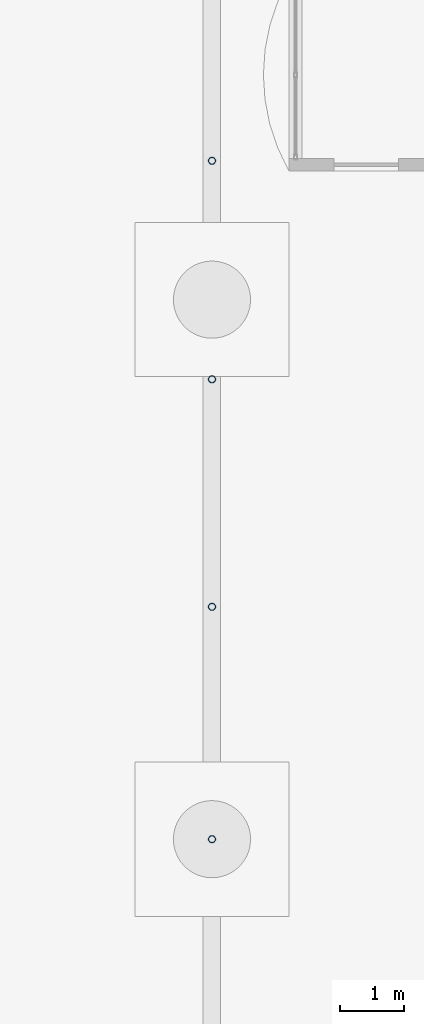
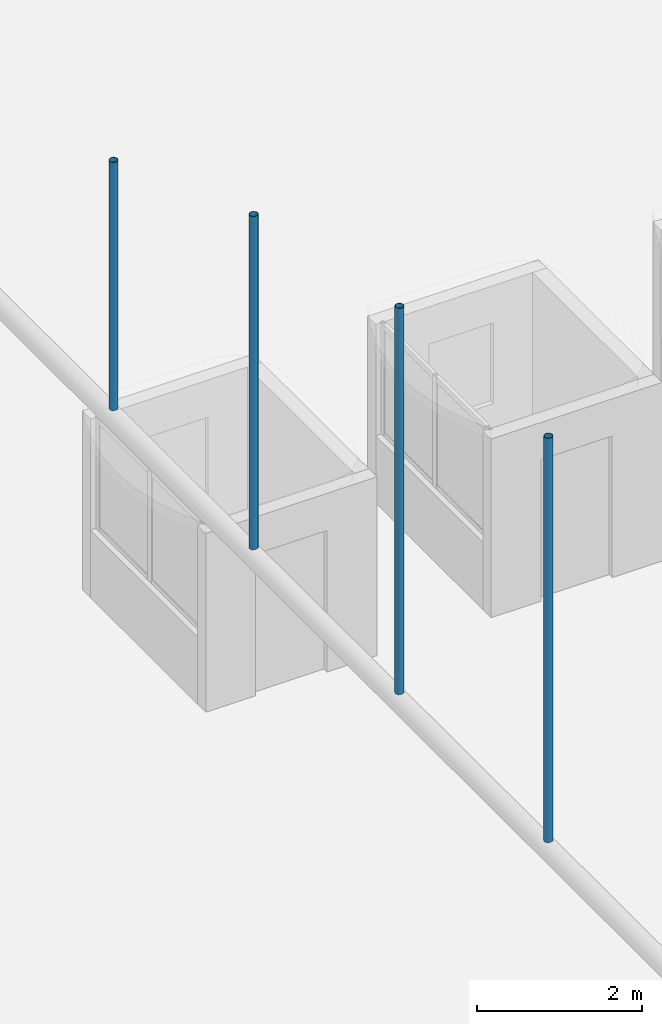
# One storey, part 79 of 212: 4 members.
"""IFC4 building model written with IfcOpenShell, lengths in metres."""

from ifc_helpers import new_model, si_unit, direction, frame, origin, origin_2d, place, context, subcontext, project, spatial, hollow_circle, extrude, material, material_profile, profile_set, type_object, element, save


model = new_model("IFC4")

# Units and contexts
model_context = context("Model", 3, precision=1e-05, world=origin(), true_north=direction((0.0, 1.0)))
body_context = subcontext(model_context, "Body", "Model", "MODEL_VIEW")
ifc_project = project(units=[si_unit("LENGTHUNIT", "METRE"), si_unit("AREAUNIT", "SQUARE_METRE"), si_unit("VOLUMEUNIT", "CUBIC_METRE"), si_unit("PLANEANGLEUNIT", "RADIAN"), si_unit("MASSUNIT", "GRAM", prefix="KILO")], contexts=[model_context])

# Site, building, storey
site_placement = place(None, origin())
site = spatial("IfcSite", under=ifc_project, at=site_placement, CompositionType="ELEMENT")
building_placement = place(site_placement, origin())
building = spatial("IfcBuilding", under=site, at=building_placement, Name="Catenary Quay Ferry Terminal", CompositionType="ELEMENT")
storey_placement = place(building_placement, origin())
storey = spatial("IfcBuildingStorey", under=building, at=storey_placement, Name="L00", CompositionType="ELEMENT", Elevation=0.0)

# Members
ifc_material = material(Name="Steel S355", Category="steel")
ifc_material_profile = material_profile(ifc_material, hollow_circle(Radius=0.05712890625, WallThickness=0.00634765625, at=origin_2d()), Name="CHS 114.3x6.3")
ifc_profile_set = profile_set([ifc_material_profile], Name="Steel S355")
member_type = type_object("IfcMemberType", Name="HG1 CHS 114.3x6.3", PredefinedType="POST", material=ifc_profile_set)
member_1_placement = place(storey_placement, frame((100.800048828125, 33.60009765625, 4.830078125), z_axis=(0.0, 0.0, 1.0), x_axis=(1.0, 0.0, 0.0)))
element("IfcMember", 1, at=member_1_placement, inside=storey, type_object=member_type, Name="Hanger CA-11-05", PredefinedType="POST", context=body_context, shape_type="SweptSolid", body=[
    extrude(hollow_circle(Radius=0.05712890625, WallThickness=0.00634765625, at=origin_2d()), origin(), (0.0, 0.0, 1.0), 5.997802734375),
])
member_2_placement = place(storey_placement, frame((100.800048828125, 37.218017578125, 4.830078125), z_axis=(0.0, 0.0, 1.0), x_axis=(1.0, 0.0, 0.0)))
element("IfcMember", 2, at=member_2_placement, inside=storey, type_object=member_type, Name="Hanger CA-11-06", PredefinedType="POST", context=body_context, shape_type="SweptSolid", body=[
    extrude(hollow_circle(Radius=0.05712890625, WallThickness=0.00634765625, at=origin_2d()), origin(), (0.0, 0.0, 1.0), 5.72998046875),
])
member_3_placement = place(storey_placement, frame((100.800048828125, 40.760009765625, 4.830078125), z_axis=(0.0, 0.0, 1.0), x_axis=(1.0, 0.0, 0.0)))
element("IfcMember", 3, at=member_3_placement, inside=storey, type_object=member_type, Name="Hanger CA-11-07", PredefinedType="POST", context=body_context, shape_type="SweptSolid", body=[
    extrude(hollow_circle(Radius=0.05712890625, WallThickness=0.00634765625, at=origin_2d()), origin(), (0.0, 0.0, 1.0), 4.94287109375),
])
member_4_placement = place(storey_placement, frame((100.800048828125, 44.162109375, 4.830078125), z_axis=(0.0, 0.0, 1.0), x_axis=(1.0, 0.0, 0.0)))
element("IfcMember", 4, at=member_4_placement, inside=storey, type_object=member_type, Name="Hanger CA-11-08", PredefinedType="POST", context=body_context, shape_type="SweptSolid", body=[
    extrude(hollow_circle(Radius=0.05712890625, WallThickness=0.00634765625, at=origin_2d()), origin(), (0.0, 0.0, 1.0), 3.681884765625),
])

save(model, "model.ifc")
